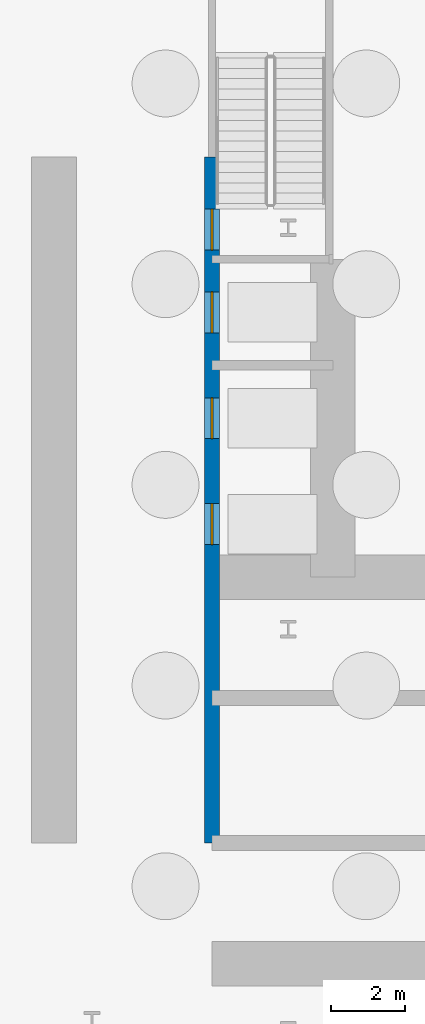
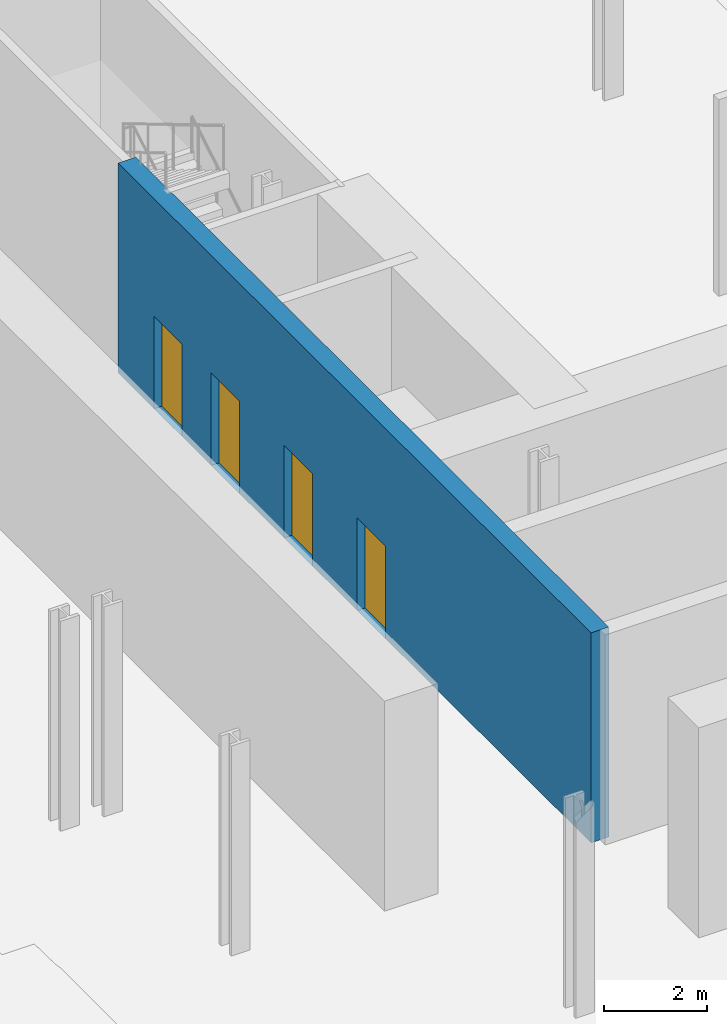
# One storey, part 9 of 23: 4 doors, 1 wall, 4 openings.
"""IFC4 building model written with IfcOpenShell, lengths in metres."""

from ifc_helpers import new_model, si_unit, direction, frame, frame_2d, origin, place, context, subcontext, project, spatial, rectangle, extrude, source, transform, mapped, material, layer, layer_set, type_object, element, fill, save


model = new_model("IFC4")

# Units and contexts
model_context = context("Model", 3, precision=1e-05, world=origin(), true_north=direction((0.0, 1.0)))
body_context = subcontext(model_context, "Body", "Model", "MODEL_VIEW")
ifc_project = project(units=[si_unit("LENGTHUNIT", "METRE"), si_unit("AREAUNIT", "SQUARE_METRE"), si_unit("VOLUMEUNIT", "CUBIC_METRE"), si_unit("PLANEANGLEUNIT", "RADIAN"), si_unit("MASSUNIT", "GRAM", prefix="KILO")], contexts=[model_context])

# Site, building, storey
site_placement = place(None, origin())
site = spatial("IfcSite", under=ifc_project, at=site_placement, CompositionType="ELEMENT")
building_placement = place(site_placement, origin())
building = spatial("IfcBuilding", under=site, at=building_placement, Name="Kheshtan School and Residences Tower", CompositionType="ELEMENT")
storey_placement = place(building_placement, frame((0.0, 0.0, -15.0)))
storey = spatial("IfcBuildingStorey", under=building, at=storey_placement, Name="B3", CompositionType="ELEMENT", Elevation=-15.0)

# Wall, openings, doors
ifc_material_1 = material(Name="Concrete C50/60", Category="concrete")
ifc_layer = layer(ifc_material_1, 0.39990234375)
ifc_layer_set = layer_set([ifc_layer], Name="Core wall 400 Concrete C50/60")
wall_type = type_object("IfcWallType", Name="Core wall 400 Concrete C50/60", PredefinedType="SHEAR", material=ifc_layer_set)
wall_placement = place(storey_placement, frame((34.75, 29.050048828125, 0.0), z_axis=(0.0, 0.0, 1.0), x_axis=(0.0, 1.0, 0.0)))
wall = element("IfcWall", 1, at=wall_placement, inside=storey, type_object=wall_type, Name="Core wall CW-HALL-W1", PredefinedType="SHEAR", context=body_context, shape_type="SweptSolid", body=[
    extrude(rectangle(XDim=18.449951171875, YDim=0.39990234375, at=frame_2d((9.22509765625, 0.0))), origin(), (0.0, 0.0, 1.0), 5.0),
])
opening_1_placement = place(wall_placement, frame((8.02490234375, 0.0, 0.0)))
opening_1 = element("IfcOpeningElement", 2, at=opening_1_placement, cuts=wall, Name="Opening LD", PredefinedType="OPENING", context=body_context, shape_type="SweptSolid", body=[
    extrude(rectangle(XDim=1.10009765625, YDim=2.199951171875, at=frame_2d((0.550048828125, 1.10009765625))), frame((0.0, 0.2099609375, 0.0), z_axis=(0.0, -1.0, 0.0), x_axis=(1.0, 0.0, 0.0)), (0.0, 0.0, 1.0), 0.419921875),
])
opening_2_placement = place(wall_placement, frame((10.875, 0.0, 0.0)))
opening_2 = element("IfcOpeningElement", 3, at=opening_2_placement, cuts=wall, Name="Opening LD", PredefinedType="OPENING", context=body_context, shape_type="SweptSolid", body=[
    extrude(rectangle(XDim=1.10009765625, YDim=2.199951171875, at=frame_2d((0.550048828125, 1.10009765625))), frame((0.0, 0.2099609375, 0.0), z_axis=(0.0, -1.0, 0.0), x_axis=(1.0, 0.0, 0.0)), (0.0, 0.0, 1.0), 0.419921875),
])
opening_3_placement = place(wall_placement, frame((13.72509765625, 0.0, 0.0)))
opening_3 = element("IfcOpeningElement", 4, at=opening_3_placement, cuts=wall, Name="Opening LD", PredefinedType="OPENING", context=body_context, shape_type="SweptSolid", body=[
    extrude(rectangle(XDim=1.10009765625, YDim=2.199951171875, at=frame_2d((0.550048828125, 1.10009765625))), frame((0.0, 0.2099609375, 0.0), z_axis=(0.0, -1.0, 0.0), x_axis=(1.0, 0.0, 0.0)), (0.0, 0.0, 1.0), 0.419921875),
])
opening_4_placement = place(wall_placement, frame((15.949951171875, 0.0, 0.0)))
opening_4 = element("IfcOpeningElement", 5, at=opening_4_placement, cuts=wall, Name="Opening ST2D", PredefinedType="OPENING", context=body_context, shape_type="SweptSolid", body=[
    extrude(rectangle(XDim=1.10009765625, YDim=2.199951171875, at=frame_2d((0.550048828125, 1.10009765625))), frame((0.0, 0.2099609375, 0.0), z_axis=(0.0, -1.0, 0.0), x_axis=(1.0, 0.0, 0.0)), (0.0, 0.0, 1.0), 0.419921875),
])
ifc_material_2 = material(Name="Stainless steel door leaves", Category="steel")
door_type_1 = type_object("IfcDoorType", Name="Lift landing door 1100", OperationType="SLIDING_TO_LEFT", PredefinedType="DOOR", material=ifc_material_2)
shared_shape_1 = source(origin(), body_context, "Body", "SweptSolid", [
    extrude(rectangle(XDim=1.10009765625, YDim=2.199951171875, at=frame_2d((0.550048828125, 1.10009765625))), frame((0.0, 0.02490234375, 0.0), z_axis=(0.0, -1.0, 0.0), x_axis=(1.0, 0.0, 0.0)), (0.0, 0.0, 1.0), 0.050048828125),
])
door_1_placement = place(opening_1_placement, origin())
door_1 = element("IfcDoor", 6, at=door_1_placement, inside=storey, type_object=door_type_1, Name="Lift SV1 landing door", OperationType="SLIDING_TO_LEFT", OverallHeight=2.199951171875, OverallWidth=1.10009765625, PredefinedType="DOOR", context=body_context, shape_type="MappedRepresentation", body=[
    mapped(shared_shape_1, transform((0.0, 0.0, 0.0), x_axis=(1.0, 0.0, 0.0), y_axis=(0.0, 1.0, 0.0), z_axis=(0.0, 0.0, 1.0), scale=1.0)),
])
fill(opening_1, door_1)
door_2_placement = place(opening_2_placement, origin())
door_2 = element("IfcDoor", 7, at=door_2_placement, inside=storey, type_object=door_type_1, Name="Lift SV2 landing door", OperationType="SLIDING_TO_LEFT", OverallHeight=2.199951171875, OverallWidth=1.10009765625, PredefinedType="DOOR", context=body_context, shape_type="MappedRepresentation", body=[
    mapped(shared_shape_1, transform((0.0, 0.0, 0.0), x_axis=(1.0, 0.0, 0.0), y_axis=(0.0, 1.0, 0.0), z_axis=(0.0, 0.0, 1.0), scale=1.0)),
])
fill(opening_2, door_2)
door_3_placement = place(opening_3_placement, origin())
door_3 = element("IfcDoor", 8, at=door_3_placement, inside=storey, type_object=door_type_1, Name="Lift FFL1 landing door", OperationType="SLIDING_TO_LEFT", OverallHeight=2.199951171875, OverallWidth=1.10009765625, PredefinedType="DOOR", context=body_context, shape_type="MappedRepresentation", body=[
    mapped(shared_shape_1, transform((0.0, 0.0, 0.0), x_axis=(1.0, 0.0, 0.0), y_axis=(0.0, 1.0, 0.0), z_axis=(0.0, 0.0, 1.0), scale=1.0)),
])
fill(opening_3, door_3)
ifc_material_3 = material(Name="Steel door leaf, galvanised", Category="steel")
door_type_2 = type_object("IfcDoorType", Name="Stair door 1100 steel 90 min", OperationType="SINGLE_SWING_LEFT", PredefinedType="DOOR", material=ifc_material_3)
shared_shape_2 = source(origin(), body_context, "Body", "SweptSolid", [
    extrude(rectangle(XDim=1.10009765625, YDim=2.199951171875, at=frame_2d((0.550048828125, 1.10009765625))), frame((0.0, 0.02490234375, 0.0), z_axis=(0.0, -1.0, 0.0), x_axis=(1.0, 0.0, 0.0)), (0.0, 0.0, 1.0), 0.050048828125),
])
door_4_placement = place(opening_4_placement, origin())
door_4 = element("IfcDoor", 9, at=door_4_placement, inside=storey, type_object=door_type_2, Name="Stair ST2 door", OperationType="SINGLE_SWING_RIGHT", OverallHeight=2.199951171875, OverallWidth=1.10009765625, PredefinedType="DOOR", context=body_context, shape_type="MappedRepresentation", body=[
    mapped(shared_shape_2, transform((0.0, 0.0, 0.0), x_axis=(1.0, 0.0, 0.0), y_axis=(0.0, 1.0, 0.0), z_axis=(0.0, 0.0, 1.0), scale=1.0)),
])
fill(opening_4, door_4)

save(model, "model.ifc")
